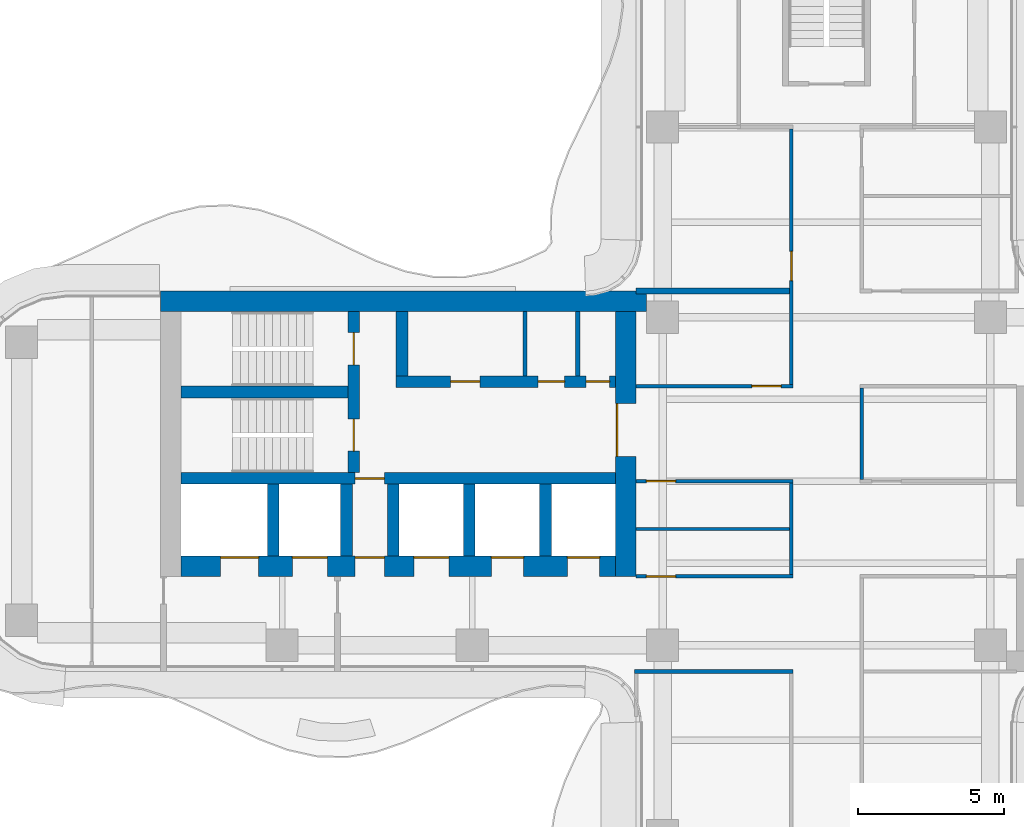
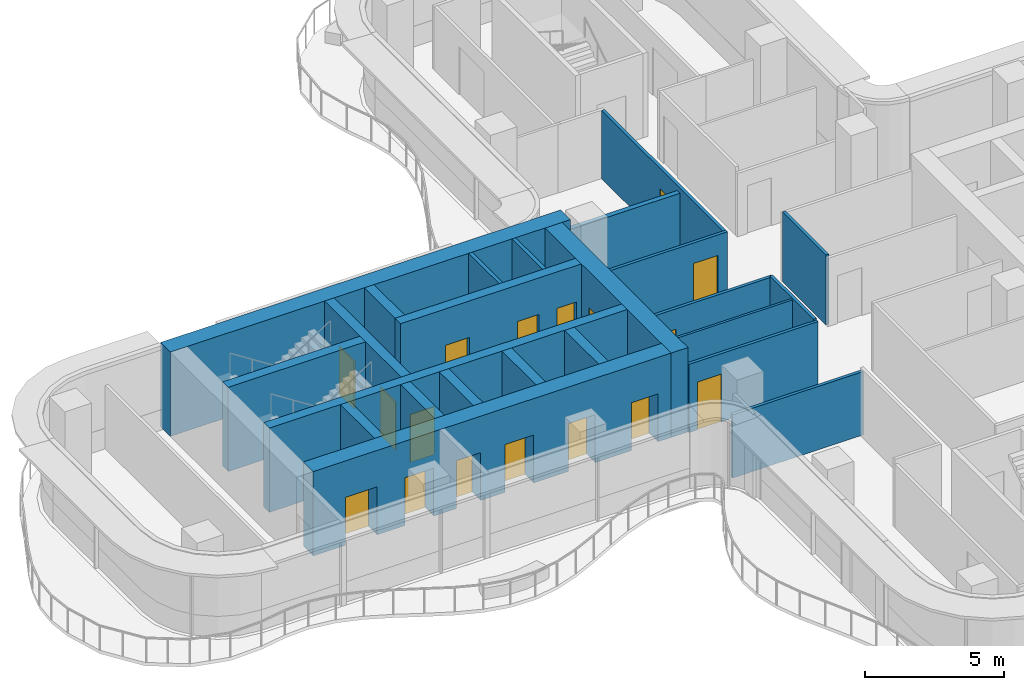
# One storey, part 11 of 16: 24 walls, 17 doors, 17 openings.
"""IFC4 building model written with IfcOpenShell, lengths in metres."""

from ifc_helpers import new_model, si_unit, direction, frame, frame_2d, origin, place, context, subcontext, project, spatial, rectangle, extrude, source, transform, mapped, material, layer, layer_set, type_object, element, fill, save


model = new_model("IFC4")

# Units and contexts
model_context = context("Model", 3, precision=1e-05, world=origin(), true_north=direction((0.0, 1.0)))
body_context = subcontext(model_context, "Body", "Model", "MODEL_VIEW")
ifc_project = project(units=[si_unit("LENGTHUNIT", "METRE"), si_unit("AREAUNIT", "SQUARE_METRE"), si_unit("VOLUMEUNIT", "CUBIC_METRE"), si_unit("PLANEANGLEUNIT", "RADIAN"), si_unit("MASSUNIT", "GRAM", prefix="KILO")], contexts=[model_context])

# Site, building, storey
site_placement = place(None, origin())
site = spatial("IfcSite", under=ifc_project, at=site_placement, CompositionType="ELEMENT")
building_placement = place(site_placement, origin())
building = spatial("IfcBuilding", under=site, at=building_placement, Name="Trellis Farm Tower", CompositionType="ELEMENT")
storey_placement = place(building_placement, frame((0.0, 0.0, 248.0)))
storey = spatial("IfcBuildingStorey", under=building, at=storey_placement, Name="L55", CompositionType="ELEMENT", Elevation=248.0)

# Wall, opening, door
ifc_material_1 = material(Name="Concrete C60/75", Category="concrete")
ifc_layer_1 = layer(ifc_material_1, 0.699951171875)
ifc_layer_set_1 = layer_set([ifc_layer_1], Name="CORE OUTER WALL 700 CONCRETE C60/75")
wall_type_1 = type_object("IfcWallType", Name="CORE OUTER WALL 700 CONCRETE C60/75", PredefinedType="SHEAR", material=ifc_layer_set_1)
shared_shape_1 = source(origin(), body_context, "Body", "SweptSolid", [
    extrude(rectangle(XDim=9.050048828125, YDim=0.699951171875, at=frame_2d((4.52490234375, 0.0))), origin(), (0.0, 0.0, 1.0), 3.699951171875),
])
wall_1_placement = place(storey_placement, frame((-6.85009765625, 5.800048828125, 0.0), z_axis=(0.0, 0.0, 1.0), x_axis=(0.0, -1.0, 0.0)))
wall_1 = element("IfcWall", 1, at=wall_1_placement, inside=storey, type_object=wall_type_1, Name="Core wall", PredefinedType="SHEAR", context=body_context, shape_type="MappedRepresentation", body=[
    mapped(shared_shape_1, transform((0.0, 0.0, 0.0))),
])
shared_shape_2 = source(origin(), body_context, "Body", "SweptSolid", [
    extrude(rectangle(XDim=1.800048828125, YDim=2.10009765625, at=frame_2d((0.89990234375, 1.050048828125))), frame((0.0, 0.360107421875, 0.0), z_axis=(0.0, -1.0, 0.0), x_axis=(1.0, 0.0, 0.0)), (0.0, 0.0, 1.0), 0.72021484375),
])
opening_1_placement = place(wall_1_placement, frame((3.14990234375, 0.0, 0.0)))
opening_1 = element("IfcOpeningElement", 2, at=opening_1_placement, cuts=wall_1, Name="Opening DC87", PredefinedType="OPENING", context=body_context, shape_type="MappedRepresentation", body=[
    mapped(shared_shape_2, transform((0.0, 0.0, 0.0))),
])
ifc_material_2 = material(Name="Steel", Category="steel")
door_type_1 = type_object("IfcDoorType", Name="CORE FIRE DOOR DOUBLE 1800 X 2100", OperationType="DOUBLE_DOOR_SINGLE_SWING", PredefinedType="DOOR", material=ifc_material_2)
shared_shape_3 = source(origin(), body_context, "Body", "SweptSolid", [
    extrude(rectangle(XDim=1.800048828125, YDim=2.10009765625, at=frame_2d((0.89990234375, 1.050048828125))), frame((0.0, -0.27490234375, 0.0), z_axis=(0.0, -1.0, 0.0), x_axis=(1.0, 0.0, 0.0)), (0.0, 0.0, 1.0), 0.050048828125),
])
door_1_placement = place(opening_1_placement, origin())
door_1 = element("IfcDoor", 3, at=door_1_placement, inside=storey, type_object=door_type_1, Name="Core door", OperationType="DOUBLE_DOOR_SINGLE_SWING", OverallHeight=2.10009765625, OverallWidth=1.800048828125, PredefinedType="DOOR", context=body_context, shape_type="MappedRepresentation", body=[
    mapped(shared_shape_3, transform((0.0, 0.0, 0.0))),
])
fill(opening_1, door_1)

# Walls
ifc_layer_2 = layer(ifc_material_1, 0.39990234375)
ifc_layer_set_2 = layer_set([ifc_layer_2], Name="CORE INNER WALL 400 CONCRETE C60/75")
wall_type_2 = type_object("IfcWallType", Name="CORE INNER WALL 400 CONCRETE C60/75", PredefinedType="SHEAR", material=ifc_layer_set_2)
shared_shape_4 = source(origin(), body_context, "Body", "SweptSolid", [
    extrude(rectangle(XDim=2.449951171875, YDim=0.39990234375, at=frame_2d((1.22509765625, 0.0))), origin(), (0.0, 0.0, 1.0), 3.699951171875),
])
for number, where, z_axis, x_axis, name in (
    (4, (-9.60009765625, -0.10009765625, 0.0), (0.0, 0.0, 1.0), (0.0, -1.0, 0.0), "Core wall"),
    (5, (-12.199951171875, -0.10009765625, 0.0), (0.0, 0.0, 1.0), (0.0, -1.0, 0.0), "Core wall"),
    (6, (-14.800048828125, -0.10009765625, 0.0), (0.0, 0.0, 1.0), (0.0, -1.0, 0.0), "Core wall"),
    (7, (-16.39990234375, -0.10009765625, 0.0), (0.0, 0.0, 1.0), (0.0, -1.0, 0.0), "Core wall"),
    (8, (-18.89990234375, -0.10009765625, 0.0), (0.0, 0.0, 1.0), (0.0, -1.0, 0.0), "Core wall"),
):
    element("IfcWall", number, at=place(storey_placement, frame(where, z_axis=z_axis, x_axis=x_axis)), inside=storey, type_object=wall_type_2, Name=name, PredefinedType="SHEAR", context=body_context, shape_type="MappedRepresentation", body=[
        mapped(shared_shape_4, transform((0.0, 0.0, 0.0))),
    ])

# Wall, openings, doors
shared_shape_5 = source(origin(), body_context, "Body", "SweptSolid", [
    extrude(rectangle(XDim=14.85009765625, YDim=0.699951171875, at=frame_2d((7.425048828125, 0.0))), origin(), (0.0, 0.0, 1.0), 3.699951171875),
])
wall_2_placement = place(storey_placement, frame((-7.199951171875, -2.89990234375, 0.0), z_axis=(0.0, 0.0, 1.0), x_axis=(-1.0, 0.0, 0.0)))
wall_2 = element("IfcWall", 9, at=wall_2_placement, inside=storey, type_object=wall_type_1, Name="Core wall", PredefinedType="SHEAR", context=body_context, shape_type="MappedRepresentation", body=[
    mapped(shared_shape_5, transform((0.0, 0.0, 0.0))),
])
shared_shape_6 = source(origin(), body_context, "Body", "SweptSolid", [
    extrude(rectangle(XDim=1.10009765625, YDim=2.10009765625, at=frame_2d((0.550048828125, 1.050048828125))), frame((0.0, 0.360107421875, 0.0), z_axis=(0.0, -1.0, 0.0), x_axis=(1.0, 0.0, 0.0)), (0.0, 0.0, 1.0), 0.72021484375),
])
opening_2_placement = place(wall_2_placement, frame((0.550048828125, 0.0, 0.0)))
opening_2 = element("IfcOpeningElement", 10, at=opening_2_placement, cuts=wall_2, Name="Opening LD12", PredefinedType="OPENING", context=body_context, shape_type="MappedRepresentation", body=[
    mapped(shared_shape_6, transform((0.0, 0.0, 0.0))),
])
opening_3_placement = place(wall_2_placement, frame((3.14990234375, 0.0, 0.0)))
opening_3 = element("IfcOpeningElement", 11, at=opening_3_placement, cuts=wall_2, Name="Opening LD13", PredefinedType="OPENING", context=body_context, shape_type="MappedRepresentation", body=[
    mapped(shared_shape_6, transform((0.0, 0.0, 0.0))),
])
shared_shape_7 = source(origin(), body_context, "Body", "SweptSolid", [
    extrude(rectangle(XDim=1.199951171875, YDim=2.10009765625, at=frame_2d((0.60009765625, 1.050048828125))), frame((0.0, 0.360107421875, 0.0), z_axis=(0.0, -1.0, 0.0), x_axis=(1.0, 0.0, 0.0)), (0.0, 0.0, 1.0), 0.72021484375),
])
opening_4_placement = place(wall_2_placement, frame((5.699951171875, 0.0, 0.0)))
opening_4 = element("IfcOpeningElement", 12, at=opening_4_placement, cuts=wall_2, Name="Opening LD14", PredefinedType="OPENING", context=body_context, shape_type="MappedRepresentation", body=[
    mapped(shared_shape_7, transform((0.0, 0.0, 0.0))),
])
shared_shape_8 = source(origin(), body_context, "Body", "SweptSolid", [
    extrude(rectangle(XDim=1.300048828125, YDim=2.10009765625, at=frame_2d((0.64990234375, 1.050048828125))), frame((0.0, 0.360107421875, 0.0), z_axis=(0.0, -1.0, 0.0), x_axis=(1.0, 0.0, 0.0)), (0.0, 0.0, 1.0), 0.72021484375),
])
opening_5_placement = place(wall_2_placement, frame((12.199951171875, 0.0, 0.0)))
opening_5 = element("IfcOpeningElement", 13, at=opening_5_placement, cuts=wall_2, Name="Opening LD15", PredefinedType="OPENING", context=body_context, shape_type="MappedRepresentation", body=[
    mapped(shared_shape_8, transform((0.0, 0.0, 0.0))),
])
opening_6_placement = place(wall_2_placement, frame((9.85009765625, 0.0, 0.0)))
opening_6 = element("IfcOpeningElement", 14, at=opening_6_placement, cuts=wall_2, Name="Opening LD16", PredefinedType="OPENING", context=body_context, shape_type="MappedRepresentation", body=[
    mapped(shared_shape_7, transform((0.0, 0.0, 0.0))),
])
shared_shape_9 = source(origin(), body_context, "Body", "SweptSolid", [
    extrude(rectangle(XDim=1.0, YDim=2.10009765625, at=frame_2d((0.5, 1.050048828125))), frame((0.0, 0.360107421875, 0.0), z_axis=(0.0, -1.0, 0.0), x_axis=(1.0, 0.0, 0.0)), (0.0, 0.0, 1.0), 0.72021484375),
])
opening_7_placement = place(wall_2_placement, frame((7.89990234375, 0.0, 0.0)))
opening_7 = element("IfcOpeningElement", 15, at=opening_7_placement, cuts=wall_2, Name="Opening DC92", PredefinedType="OPENING", context=body_context, shape_type="MappedRepresentation", body=[
    mapped(shared_shape_9, transform((0.0, 0.0, 0.0))),
])
door_type_2 = type_object("IfcDoorType", Name="CORE FIRE DOOR 1000 X 2100", OperationType="NOTDEFINED", PredefinedType="DOOR", material=ifc_material_2)
shared_shape_10 = source(origin(), body_context, "Body", "SweptSolid", [
    extrude(rectangle(XDim=1.0, YDim=2.10009765625, at=frame_2d((0.5, 1.050048828125))), frame((0.0, -0.27490234375, 0.0), z_axis=(0.0, -1.0, 0.0), x_axis=(1.0, 0.0, 0.0)), (0.0, 0.0, 1.0), 0.050048828125),
])
door_2_placement = place(opening_7_placement, origin())
door_2 = element("IfcDoor", 16, at=door_2_placement, inside=storey, type_object=door_type_2, Name="Core door", OperationType="SINGLE_SWING_LEFT", OverallHeight=2.10009765625, OverallWidth=1.0, PredefinedType="DOOR", context=body_context, shape_type="MappedRepresentation", body=[
    mapped(shared_shape_10, transform((0.0, 0.0, 0.0))),
])
fill(opening_7, door_2)
ifc_material_3 = material(Name="Stainless steel", Category="steel")
door_type_3 = type_object("IfcDoorType", Name="LIFT LANDING DOOR 1300 X 2100", OperationType="DOUBLE_DOOR_SLIDING", PredefinedType="DOOR", material=ifc_material_3)
shared_shape_11 = source(origin(), body_context, "Body", "SweptSolid", [
    extrude(rectangle(XDim=1.300048828125, YDim=2.10009765625, at=frame_2d((0.64990234375, 1.050048828125))), frame((0.0, -0.27490234375, 0.0), z_axis=(0.0, -1.0, 0.0), x_axis=(1.0, 0.0, 0.0)), (0.0, 0.0, 1.0), 0.050048828125),
])
door_3_placement = place(opening_5_placement, origin())
door_3 = element("IfcDoor", 17, at=door_3_placement, inside=storey, type_object=door_type_3, Name="Lift landing door", OperationType="DOUBLE_DOOR_SLIDING", OverallHeight=2.10009765625, OverallWidth=1.300048828125, PredefinedType="DOOR", context=body_context, shape_type="MappedRepresentation", body=[
    mapped(shared_shape_11, transform((0.0, 0.0, 0.0))),
])
fill(opening_5, door_3)
door_type_4 = type_object("IfcDoorType", Name="LIFT LANDING DOOR 1200 X 2100", OperationType="DOUBLE_DOOR_SLIDING", PredefinedType="DOOR", material=ifc_material_3)
shared_shape_12 = source(origin(), body_context, "Body", "SweptSolid", [
    extrude(rectangle(XDim=1.199951171875, YDim=2.10009765625, at=frame_2d((0.60009765625, 1.050048828125))), frame((0.0, -0.27490234375, 0.0), z_axis=(0.0, -1.0, 0.0), x_axis=(1.0, 0.0, 0.0)), (0.0, 0.0, 1.0), 0.050048828125),
])
door_4_placement = place(opening_4_placement, origin())
door_4 = element("IfcDoor", 18, at=door_4_placement, inside=storey, type_object=door_type_4, Name="Lift landing door", OperationType="DOUBLE_DOOR_SLIDING", OverallHeight=2.10009765625, OverallWidth=1.199951171875, PredefinedType="DOOR", context=body_context, shape_type="MappedRepresentation", body=[
    mapped(shared_shape_12, transform((0.0, 0.0, 0.0))),
])
fill(opening_4, door_4)
door_5_placement = place(opening_6_placement, origin())
door_5 = element("IfcDoor", 19, at=door_5_placement, inside=storey, type_object=door_type_4, Name="Lift landing door", OperationType="DOUBLE_DOOR_SLIDING", OverallHeight=2.10009765625, OverallWidth=1.199951171875, PredefinedType="DOOR", context=body_context, shape_type="MappedRepresentation", body=[
    mapped(shared_shape_12, transform((0.0, 0.0, 0.0))),
])
fill(opening_6, door_5)
door_type_5 = type_object("IfcDoorType", Name="LIFT LANDING DOOR 1100 X 2100", OperationType="DOUBLE_DOOR_SLIDING", PredefinedType="DOOR", material=ifc_material_3)
shared_shape_13 = source(origin(), body_context, "Body", "SweptSolid", [
    extrude(rectangle(XDim=1.10009765625, YDim=2.10009765625, at=frame_2d((0.550048828125, 1.050048828125))), frame((0.0, -0.27490234375, 0.0), z_axis=(0.0, -1.0, 0.0), x_axis=(1.0, 0.0, 0.0)), (0.0, 0.0, 1.0), 0.050048828125),
])
door_6_placement = place(opening_2_placement, origin())
door_6 = element("IfcDoor", 20, at=door_6_placement, inside=storey, type_object=door_type_5, Name="Lift landing door", OperationType="DOUBLE_DOOR_SLIDING", OverallHeight=2.10009765625, OverallWidth=1.10009765625, PredefinedType="DOOR", context=body_context, shape_type="MappedRepresentation", body=[
    mapped(shared_shape_13, transform((0.0, 0.0, 0.0))),
])
fill(opening_2, door_6)
door_7_placement = place(opening_3_placement, origin())
door_7 = element("IfcDoor", 21, at=door_7_placement, inside=storey, type_object=door_type_5, Name="Lift landing door", OperationType="DOUBLE_DOOR_SLIDING", OverallHeight=2.10009765625, OverallWidth=1.10009765625, PredefinedType="DOOR", context=body_context, shape_type="MappedRepresentation", body=[
    mapped(shared_shape_13, transform((0.0, 0.0, 0.0))),
])
fill(opening_3, door_7)

shared_shape_14 = source(origin(), body_context, "Body", "SweptSolid", [
    extrude(rectangle(XDim=7.5, YDim=0.39990234375, at=frame_2d((3.75, 0.0))), origin(), (0.0, 0.0, 1.0), 3.699951171875),
])
wall_3_placement = place(storey_placement, frame((-7.199951171875, 3.39990234375, 0.0), z_axis=(0.0, 0.0, 1.0), x_axis=(-1.0, 0.0, 0.0)))
wall_3 = element("IfcWall", 22, at=wall_3_placement, inside=storey, type_object=wall_type_2, Name="Core wall", PredefinedType="SHEAR", context=body_context, shape_type="MappedRepresentation", body=[
    mapped(shared_shape_14, transform((0.0, 0.0, 0.0))),
])
shared_shape_15 = source(origin(), body_context, "Body", "SweptSolid", [
    extrude(rectangle(XDim=0.800048828125, YDim=2.10009765625, at=frame_2d((0.39990234375, 1.050048828125))), frame((0.0, 0.2099609375, 0.0), z_axis=(0.0, -1.0, 0.0), x_axis=(1.0, 0.0, 0.0)), (0.0, 0.0, 1.0), 0.419921875),
])
opening_8_placement = place(wall_3_placement, frame((0.21240234375, 0.0, 0.0)))
opening_8 = element("IfcOpeningElement", 23, at=opening_8_placement, cuts=wall_3, Name="Opening DC137", PredefinedType="OPENING", context=body_context, shape_type="MappedRepresentation", body=[
    mapped(shared_shape_15, transform((0.0, 0.0, 0.0))),
])
shared_shape_16 = source(origin(), body_context, "Body", "SweptSolid", [
    extrude(rectangle(XDim=0.89990234375, YDim=2.10009765625, at=frame_2d((0.449951171875, 1.050048828125))), frame((0.0, 0.2099609375, 0.0), z_axis=(0.0, -1.0, 0.0), x_axis=(1.0, 0.0, 0.0)), (0.0, 0.0, 1.0), 0.419921875),
])
opening_9_placement = place(wall_3_placement, frame((1.75, 0.0, 0.0)))
opening_9 = element("IfcOpeningElement", 24, at=opening_9_placement, cuts=wall_3, Name="Opening DC146", PredefinedType="OPENING", context=body_context, shape_type="MappedRepresentation", body=[
    mapped(shared_shape_16, transform((0.0, 0.0, 0.0))),
])
shared_shape_17 = source(origin(), body_context, "Body", "SweptSolid", [
    extrude(rectangle(XDim=1.0, YDim=2.10009765625, at=frame_2d((0.5, 1.050048828125))), frame((0.0, 0.2099609375, 0.0), z_axis=(0.0, -1.0, 0.0), x_axis=(1.0, 0.0, 0.0)), (0.0, 0.0, 1.0), 0.419921875),
])
opening_10_placement = place(wall_3_placement, frame((4.637451171875, 0.0, 0.0)))
opening_10 = element("IfcOpeningElement", 25, at=opening_10_placement, cuts=wall_3, Name="Opening DC153", PredefinedType="OPENING", context=body_context, shape_type="MappedRepresentation", body=[
    mapped(shared_shape_17, transform((0.0, 0.0, 0.0))),
])
shared_shape_18 = source(origin(), body_context, "Body", "SweptSolid", [
    extrude(rectangle(XDim=1.0, YDim=2.10009765625, at=frame_2d((0.5, 1.050048828125))), frame((0.0, 0.02490234375, 0.0), z_axis=(0.0, -1.0, 0.0), x_axis=(1.0, 0.0, 0.0)), (0.0, 0.0, 1.0), 0.050048828125),
])
door_8_placement = place(opening_10_placement, origin())
door_8 = element("IfcDoor", 26, at=door_8_placement, inside=storey, type_object=door_type_2, Name="Core door", OperationType="SINGLE_SWING_LEFT", OverallHeight=2.10009765625, OverallWidth=1.0, PredefinedType="DOOR", context=body_context, shape_type="MappedRepresentation", body=[
    mapped(shared_shape_18, transform((0.0, 0.0, 0.0))),
])
fill(opening_10, door_8)
door_type_6 = type_object("IfcDoorType", Name="CORE FIRE DOOR 900 X 2100", OperationType="NOTDEFINED", PredefinedType="DOOR", material=ifc_material_2)
shared_shape_19 = source(origin(), body_context, "Body", "SweptSolid", [
    extrude(rectangle(XDim=0.89990234375, YDim=2.10009765625, at=frame_2d((0.449951171875, 1.050048828125))), frame((0.0, 0.02490234375, 0.0), z_axis=(0.0, -1.0, 0.0), x_axis=(1.0, 0.0, 0.0)), (0.0, 0.0, 1.0), 0.050048828125),
])
door_9_placement = place(opening_9_placement, origin())
door_9 = element("IfcDoor", 27, at=door_9_placement, inside=storey, type_object=door_type_6, Name="Core door", OperationType="SINGLE_SWING_RIGHT", OverallHeight=2.10009765625, OverallWidth=0.89990234375, PredefinedType="DOOR", context=body_context, shape_type="MappedRepresentation", body=[
    mapped(shared_shape_19, transform((0.0, 0.0, 0.0))),
])
fill(opening_9, door_9)
door_type_7 = type_object("IfcDoorType", Name="CORE FIRE DOOR 800 X 2100", OperationType="NOTDEFINED", PredefinedType="DOOR", material=ifc_material_2)
shared_shape_20 = source(origin(), body_context, "Body", "SweptSolid", [
    extrude(rectangle(XDim=0.800048828125, YDim=2.10009765625, at=frame_2d((0.39990234375, 1.050048828125))), frame((0.0, 0.02490234375, 0.0), z_axis=(0.0, -1.0, 0.0), x_axis=(1.0, 0.0, 0.0)), (0.0, 0.0, 1.0), 0.050048828125),
])
door_10_placement = place(opening_8_placement, origin())
door_10 = element("IfcDoor", 28, at=door_10_placement, inside=storey, type_object=door_type_7, Name="Core door", OperationType="SINGLE_SWING_LEFT", OverallHeight=2.10009765625, OverallWidth=0.800048828125, PredefinedType="DOOR", context=body_context, shape_type="MappedRepresentation", body=[
    mapped(shared_shape_20, transform((0.0, 0.0, 0.0))),
])
fill(opening_8, door_10)

# Wall, opening, door
shared_shape_21 = source(origin(), body_context, "Body", "SweptSolid", [
    extrude(rectangle(XDim=14.85009765625, YDim=0.39990234375, at=frame_2d((7.425048828125, 0.0))), origin(), (0.0, 0.0, 1.0), 3.699951171875),
])
wall_4_placement = place(storey_placement, frame((-7.199951171875, 0.10009765625, 0.0), z_axis=(0.0, 0.0, 1.0), x_axis=(-1.0, 0.0, 0.0)))
wall_4 = element("IfcWall", 29, at=wall_4_placement, inside=storey, type_object=wall_type_2, Name="Core wall", PredefinedType="SHEAR", context=body_context, shape_type="MappedRepresentation", body=[
    mapped(shared_shape_21, transform((0.0, 0.0, 0.0))),
])
opening_11_placement = place(wall_4_placement, frame((7.89990234375, 0.0, 0.0)))
opening_11 = element("IfcOpeningElement", 30, at=opening_11_placement, cuts=wall_4, Name="Opening DC91", PredefinedType="OPENING", context=body_context, shape_type="MappedRepresentation", body=[
    mapped(shared_shape_17, transform((0.0, 0.0, 0.0))),
])
door_11_placement = place(opening_11_placement, origin())
door_11 = element("IfcDoor", 31, at=door_11_placement, inside=storey, type_object=door_type_2, Name="Core door", OperationType="SINGLE_SWING_RIGHT", OverallHeight=2.10009765625, OverallWidth=1.0, PredefinedType="DOOR", context=body_context, shape_type="MappedRepresentation", body=[
    mapped(shared_shape_18, transform((0.0, 0.0, 0.0))),
])
fill(opening_11, door_11)

# Wall, openings, doors
shared_shape_22 = source(origin(), body_context, "Body", "SweptSolid", [
    extrude(rectangle(XDim=5.5, YDim=0.39990234375, at=frame_2d((2.75, 0.0))), origin(), (0.0, 0.0, 1.0), 3.699951171875),
])
wall_5_placement = place(storey_placement, frame((-16.14990234375, 5.800048828125, 0.0), z_axis=(0.0, 0.0, 1.0), x_axis=(0.0, -1.0, 0.0)))
wall_5 = element("IfcWall", 32, at=wall_5_placement, inside=storey, type_object=wall_type_2, Name="Core wall", PredefinedType="SHEAR", context=body_context, shape_type="MappedRepresentation", body=[
    mapped(shared_shape_22, transform((0.0, 0.0, 0.0))),
])
shared_shape_23 = source(origin(), body_context, "Body", "SweptSolid", [
    extrude(rectangle(XDim=1.10009765625, YDim=2.10009765625, at=frame_2d((0.550048828125, 1.050048828125))), frame((0.0, 0.2099609375, 0.0), z_axis=(0.0, -1.0, 0.0), x_axis=(1.0, 0.0, 0.0)), (0.0, 0.0, 1.0), 0.419921875),
])
opening_12_placement = place(wall_5_placement, frame((0.72509765625, 0.0, 0.0)))
opening_12 = element("IfcOpeningElement", 33, at=opening_12_placement, cuts=wall_5, Name="Opening DC88", PredefinedType="OPENING", context=body_context, shape_type="MappedRepresentation", body=[
    mapped(shared_shape_23, transform((0.0, 0.0, 0.0))),
])
opening_13_placement = place(wall_5_placement, frame((3.675048828125, 0.0, 0.0)))
opening_13 = element("IfcOpeningElement", 34, at=opening_13_placement, cuts=wall_5, Name="Opening DC89", PredefinedType="OPENING", context=body_context, shape_type="MappedRepresentation", body=[
    mapped(shared_shape_23, transform((0.0, 0.0, 0.0))),
])
door_type_8 = type_object("IfcDoorType", Name="CORE FIRE DOOR 1100 X 2100", OperationType="NOTDEFINED", PredefinedType="DOOR", material=ifc_material_2)
shared_shape_24 = source(origin(), body_context, "Body", "SweptSolid", [
    extrude(rectangle(XDim=1.10009765625, YDim=2.10009765625, at=frame_2d((0.550048828125, 1.050048828125))), frame((0.0, 0.02490234375, 0.0), z_axis=(0.0, -1.0, 0.0), x_axis=(1.0, 0.0, 0.0)), (0.0, 0.0, 1.0), 0.050048828125),
])
door_12_placement = place(opening_12_placement, origin())
door_12 = element("IfcDoor", 35, at=door_12_placement, inside=storey, type_object=door_type_8, Name="Core door", OperationType="SINGLE_SWING_RIGHT", OverallHeight=2.10009765625, OverallWidth=1.10009765625, PredefinedType="DOOR", context=body_context, shape_type="MappedRepresentation", body=[
    mapped(shared_shape_24, transform((0.0, 0.0, 0.0))),
])
fill(opening_12, door_12)
door_13_placement = place(opening_13_placement, origin())
door_13 = element("IfcDoor", 36, at=door_13_placement, inside=storey, type_object=door_type_8, Name="Core door", OperationType="SINGLE_SWING_LEFT", OverallHeight=2.10009765625, OverallWidth=1.10009765625, PredefinedType="DOOR", context=body_context, shape_type="MappedRepresentation", body=[
    mapped(shared_shape_24, transform((0.0, 0.0, 0.0))),
])
fill(opening_13, door_13)

# Walls
shared_shape_25 = source(origin(), body_context, "Body", "SweptSolid", [
    extrude(rectangle(XDim=5.699951171875, YDim=0.39990234375, at=frame_2d((2.85009765625, 0.0))), origin(), (0.0, 0.0, 1.0), 3.699951171875),
])
wall_6_placement = place(storey_placement, frame((-16.35009765625, 3.050048828125, 0.0), z_axis=(0.0, 0.0, 1.0), x_axis=(-1.0, 0.0, 0.0)))
element("IfcWall", 37, at=wall_6_placement, inside=storey, type_object=wall_type_2, Name="Core wall", PredefinedType="SHEAR", context=body_context, shape_type="MappedRepresentation", body=[
    mapped(shared_shape_25, transform((0.0, 0.0, 0.0))),
])
shared_shape_26 = source(origin(), body_context, "Body", "SweptSolid", [
    extrude(rectangle(XDim=2.199951171875, YDim=0.39990234375, at=frame_2d((1.10009765625, 0.0))), origin(), (0.0, 0.0, 1.0), 3.699951171875),
])
wall_7_placement = place(storey_placement, frame((-14.5, 5.800048828125, 0.0), z_axis=(0.0, 0.0, 1.0), x_axis=(0.0, -1.0, 0.0)))
element("IfcWall", 38, at=wall_7_placement, inside=storey, type_object=wall_type_2, Name="Core wall", PredefinedType="SHEAR", context=body_context, shape_type="MappedRepresentation", body=[
    mapped(shared_shape_26, transform((0.0, 0.0, 0.0))),
])
ifc_material_4 = material(Name="Masonry blockwork", Category="masonry")
ifc_layer_3 = layer(ifc_material_4, 0.14990234375)
ifc_layer_set_3 = layer_set([ifc_layer_3], Name="CORE PARTITION 150 BLOCKWORK")
wall_type_3 = type_object("IfcWallType", Name="CORE PARTITION 150 BLOCKWORK", PredefinedType="PARTITIONING", material=ifc_layer_set_3)
shared_shape_27 = source(origin(), body_context, "Body", "SweptSolid", [
    extrude(rectangle(XDim=2.199951171875, YDim=0.14990234375, at=frame_2d((1.10009765625, 0.0))), origin(), (0.0, 0.0, 1.0), 3.699951171875),
])
for number, where, z_axis, x_axis, name in (
    (39, (-8.5, 5.800048828125, 0.0), (0.0, 0.0, 1.0), (0.0, -1.0, 0.0), "Core room partition"),
    (40, (-10.300048828125, 5.800048828125, 0.0), (0.0, 0.0, 1.0), (0.0, -1.0, 0.0), "Core room partition"),
):
    element("IfcWall", number, at=place(storey_placement, frame(where, z_axis=z_axis, x_axis=x_axis)), inside=storey, type_object=wall_type_3, Name=name, PredefinedType="PARTITIONING", context=body_context, shape_type="MappedRepresentation", body=[
        mapped(shared_shape_27, transform((0.0, 0.0, 0.0))),
    ])
shared_shape_28 = source(origin(), body_context, "Body", "SweptSolid", [
    extrude(rectangle(XDim=16.60009765625, YDim=0.699951171875, at=frame_2d((8.300048828125, 0.0))), origin(), (0.0, 0.0, 1.0), 3.699951171875),
])
wall_8_placement = place(storey_placement, frame((-6.14990234375, 6.14990234375, 0.0), z_axis=(0.0, 0.0, 1.0), x_axis=(-1.0, 0.0, 0.0)))
element("IfcWall", 41, at=wall_8_placement, inside=storey, type_object=wall_type_1, Name="Core wall", PredefinedType="SHEAR", context=body_context, shape_type="MappedRepresentation", body=[
    mapped(shared_shape_28, transform((0.0, 0.0, 0.0))),
])
ifc_material_5 = material(Name="Plasterboard on steel studs, mineral wool", Category="steel")
ifc_layer_4 = layer(ifc_material_5, 0.125)
ifc_layer_set_4 = layer_set([ifc_layer_4], Name="PARTITION 125 STUD EI 60")
wall_type_4 = type_object("IfcWallType", Name="PARTITION 125 STUD EI 60", PredefinedType="PARTITIONING", material=ifc_layer_set_4)
shared_shape_29 = source(origin(), body_context, "Body", "SweptSolid", [
    extrude(rectangle(XDim=3.125, YDim=0.125, at=frame_2d((1.5625, 0.0))), origin(), (0.0, 0.0, 1.0), 3.06787109375),
])
for number, where, z_axis, x_axis, name in (
    (42, (-1.199951171875, -0.0625, 0.0), (0.0, 0.0, 1.0), (0.0, -1.0, 0.0), "Partition PW1"),
    (43, (1.199951171875, 3.1875, 0.0), (0.0, 0.0, 1.0), (0.0, -1.0, 0.0), "Partition PW1"),
):
    element("IfcWall", number, at=place(storey_placement, frame(where, z_axis=z_axis, x_axis=x_axis)), inside=storey, type_object=wall_type_4, Name=name, PredefinedType="PARTITIONING", context=body_context, shape_type="MappedRepresentation", body=[
        mapped(shared_shape_29, transform((0.0, 0.0, 0.0))),
    ])

# Wall, opening, door
shared_shape_30 = source(origin(), body_context, "Body", "SweptSolid", [
    extrude(rectangle(XDim=5.362548828125, YDim=0.125, at=frame_2d((2.68115234375, 0.0))), origin(), (0.0, 0.0, 1.0), 2.99658203125),
])
wall_9_placement = place(storey_placement, frame((-1.137451171875, -3.25, 0.0), z_axis=(0.0, 0.0, 1.0), x_axis=(-1.0, 0.0, 0.0)))
wall_9 = element("IfcWall", 44, at=wall_9_placement, inside=storey, type_object=wall_type_4, Name="Partition PW1", PredefinedType="PARTITIONING", context=body_context, shape_type="MappedRepresentation", body=[
    mapped(shared_shape_30, transform((0.0, 0.0, 0.0))),
])
shared_shape_31 = source(origin(), body_context, "Body", "SweptSolid", [
    extrude(rectangle(XDim=1.0, YDim=2.10009765625, at=frame_2d((0.5, 1.050048828125))), frame((0.0, 0.072509765625, 0.0), z_axis=(0.0, -1.0, 0.0), x_axis=(1.0, 0.0, 0.0)), (0.0, 0.0, 1.0), 0.14501953125),
])
opening_14_placement = place(wall_9_placement, frame((4.012451171875, 0.0, 0.0)))
opening_14 = element("IfcOpeningElement", 45, at=opening_14_placement, cuts=wall_9, Name="Opening D101", PredefinedType="OPENING", context=body_context, shape_type="MappedRepresentation", body=[
    mapped(shared_shape_31, transform((0.0, 0.0, 0.0))),
])
ifc_material_6 = material(Name="Fire-rated timber door leaf in a hollow metal frame", Category="wood")
door_type_9 = type_object("IfcDoorType", Name="DOOR 1000x2100 FD30S", OperationType="NOTDEFINED", PredefinedType="DOOR", material=ifc_material_6)
door_14_placement = place(opening_14_placement, origin())
door_14 = element("IfcDoor", 46, at=door_14_placement, inside=storey, type_object=door_type_9, Name="Door D101", OperationType="SINGLE_SWING_RIGHT", OverallHeight=2.10009765625, OverallWidth=1.0, PredefinedType="DOOR", context=body_context, shape_type="MappedRepresentation", body=[
    mapped(shared_shape_18, transform((0.0, 0.0, 0.0))),
])
fill(opening_14, door_14)

wall_10_placement = place(storey_placement, frame((-1.137451171875, 0.0, 0.0), z_axis=(0.0, 0.0, 1.0), x_axis=(-1.0, 0.0, 0.0)))
wall_10 = element("IfcWall", 47, at=wall_10_placement, inside=storey, type_object=wall_type_4, Name="Partition PW1", PredefinedType="PARTITIONING", context=body_context, shape_type="MappedRepresentation", body=[
    mapped(shared_shape_30, transform((0.0, 0.0, 0.0))),
])
opening_15_placement = place(wall_10_placement, frame((4.012451171875, 0.0, 0.0)))
opening_15 = element("IfcOpeningElement", 48, at=opening_15_placement, cuts=wall_10, Name="Opening D102", PredefinedType="OPENING", context=body_context, shape_type="MappedRepresentation", body=[
    mapped(shared_shape_31, transform((0.0, 0.0, 0.0))),
])
door_15_placement = place(opening_15_placement, origin())
door_15 = element("IfcDoor", 49, at=door_15_placement, inside=storey, type_object=door_type_9, Name="Door D102", OperationType="SINGLE_SWING_RIGHT", OverallHeight=2.10009765625, OverallWidth=1.0, PredefinedType="DOOR", context=body_context, shape_type="MappedRepresentation", body=[
    mapped(shared_shape_18, transform((0.0, 0.0, 0.0))),
])
fill(opening_15, door_15)

wall_11_placement = place(storey_placement, frame((-6.5, 3.25, 0.0), z_axis=(0.0, 0.0, 1.0), x_axis=(1.0, 0.0, 0.0)))
wall_11 = element("IfcWall", 50, at=wall_11_placement, inside=storey, type_object=wall_type_4, Name="Partition PW1", PredefinedType="PARTITIONING", context=body_context, shape_type="MappedRepresentation", body=[
    mapped(shared_shape_30, transform((0.0, 0.0, 0.0))),
])
opening_16_placement = place(wall_11_placement, frame((3.949951171875, 0.0, 0.0)))
opening_16 = element("IfcOpeningElement", 51, at=opening_16_placement, cuts=wall_11, Name="Opening D301", PredefinedType="OPENING", context=body_context, shape_type="MappedRepresentation", body=[
    mapped(shared_shape_31, transform((0.0, 0.0, 0.0))),
])
door_type_10 = type_object("IfcDoorType", Name="DOOR 1000x2100 FD60", OperationType="NOTDEFINED", PredefinedType="DOOR", material=ifc_material_6)
door_16_placement = place(opening_16_placement, origin())
door_16 = element("IfcDoor", 52, at=door_16_placement, inside=storey, type_object=door_type_10, Name="Door D301", OperationType="SINGLE_SWING_RIGHT", OverallHeight=2.10009765625, OverallWidth=1.0, PredefinedType="DOOR", context=body_context, shape_type="MappedRepresentation", body=[
    mapped(shared_shape_18, transform((0.0, 0.0, 0.0))),
])
fill(opening_16, door_16)

# Wall
ifc_material_7 = material(Name="Plasterboard on steel studs", Category="steel")
ifc_layer_5 = layer(ifc_material_7, 0.10009765625)
ifc_layer_set_5 = layer_set([ifc_layer_5], Name="PARTITION 100 STUD EI 30")
wall_type_5 = type_object("IfcWallType", Name="PARTITION 100 STUD EI 30", PredefinedType="PARTITIONING", material=ifc_layer_set_5)
shared_shape_32 = source(origin(), body_context, "Body", "SweptSolid", [
    extrude(rectangle(XDim=5.237548828125, YDim=0.10009765625, at=frame_2d((2.61865234375, 0.0))), origin(), (0.0, 0.0, 1.0), 2.99658203125),
])
wall_12_placement = place(storey_placement, frame((-6.5, -1.625, 0.0), z_axis=(0.0, 0.0, 1.0), x_axis=(1.0, 0.0, 0.0)))
element("IfcWall", 53, at=wall_12_placement, inside=storey, type_object=wall_type_5, Name="Partition PW2", PredefinedType="PARTITIONING", context=body_context, shape_type="MappedRepresentation", body=[
    mapped(shared_shape_32, transform((0.0, 0.0, 0.0))),
])

# Wall, opening, door
shared_shape_33 = source(origin(), body_context, "Body", "SweptSolid", [
    extrude(rectangle(XDim=8.72509765625, YDim=0.125, at=frame_2d((4.362548828125, 0.0))), origin(), (0.0, 0.0, 1.0), 2.99658203125),
])
wall_13_placement = place(storey_placement, frame((-1.199951171875, 12.03759765625, 0.0), z_axis=(0.0, 0.0, 1.0), x_axis=(0.0, -1.0, 0.0)))
wall_13 = element("IfcWall", 54, at=wall_13_placement, inside=storey, type_object=wall_type_4, Name="Partition PW1", PredefinedType="PARTITIONING", context=body_context, shape_type="MappedRepresentation", body=[
    mapped(shared_shape_33, transform((0.0, 0.0, 0.0))),
])
opening_17_placement = place(wall_13_placement, frame((4.1875, 0.0, 0.0)))
opening_17 = element("IfcOpeningElement", 55, at=opening_17_placement, cuts=wall_13, Name="Opening D106", PredefinedType="OPENING", context=body_context, shape_type="MappedRepresentation", body=[
    mapped(shared_shape_31, transform((0.0, 0.0, 0.0))),
])
door_17_placement = place(opening_17_placement, origin())
door_17 = element("IfcDoor", 56, at=door_17_placement, inside=storey, type_object=door_type_9, Name="Door D106", OperationType="SINGLE_SWING_RIGHT", OverallHeight=2.10009765625, OverallWidth=1.0, PredefinedType="DOOR", context=body_context, shape_type="MappedRepresentation", body=[
    mapped(shared_shape_18, transform((0.0, 0.0, 0.0))),
])
fill(opening_17, door_17)

# Walls
shared_shape_34 = source(origin(), body_context, "Body", "SweptSolid", [
    extrude(rectangle(XDim=5.425048828125, YDim=0.125, at=frame_2d((2.71240234375, 0.0))), origin(), (0.0, 0.0, 1.0), 2.780029296875),
])
wall_14_placement = place(storey_placement, frame((-1.137451171875, -6.5, 0.0), z_axis=(0.0, 0.0, 1.0), x_axis=(-1.0, 0.0, 0.0)))
element("IfcWall", 57, at=wall_14_placement, inside=storey, type_object=wall_type_4, Name="Partition PW1", PredefinedType="PARTITIONING", context=body_context, shape_type="MappedRepresentation", body=[
    mapped(shared_shape_34, transform((0.0, 0.0, 0.0))),
])
ifc_material_8 = material(Name="Lightweight blockwork, plastered", Category="masonry")
ifc_layer_6 = layer(ifc_material_8, 0.199951171875)
ifc_layer_set_6 = layer_set([ifc_layer_6], Name="BLOCK WALL 200 EI 120")
wall_type_6 = type_object("IfcWallType", Name="BLOCK WALL 200 EI 120", PredefinedType="PARTITIONING", material=ifc_layer_set_6)
shared_shape_35 = source(origin(), body_context, "Body", "SweptSolid", [
    extrude(rectangle(XDim=5.237548828125, YDim=0.199951171875, at=frame_2d((2.61865234375, 0.0))), origin(), (0.0, 0.0, 1.0), 2.780029296875),
])
wall_15_placement = place(storey_placement, frame((-6.5, 6.5, 0.0), z_axis=(0.0, 0.0, 1.0), x_axis=(1.0, 0.0, 0.0)))
element("IfcWall", 58, at=wall_15_placement, inside=storey, type_object=wall_type_6, Name="Partition PW3", PredefinedType="PARTITIONING", context=body_context, shape_type="MappedRepresentation", body=[
    mapped(shared_shape_35, transform((0.0, 0.0, 0.0))),
])

save(model, "model.ifc")
